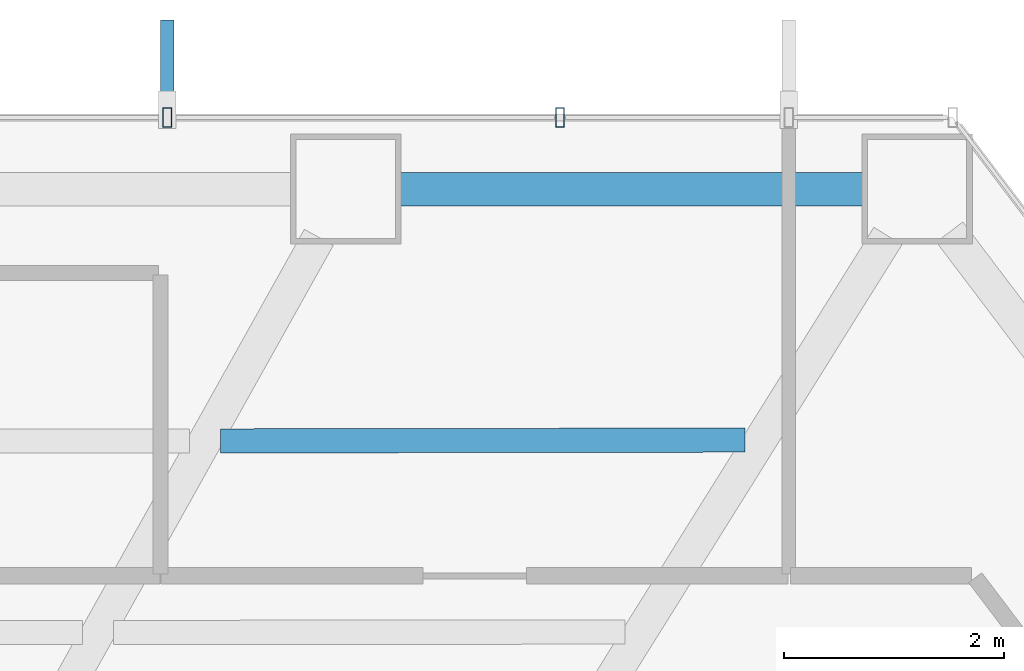
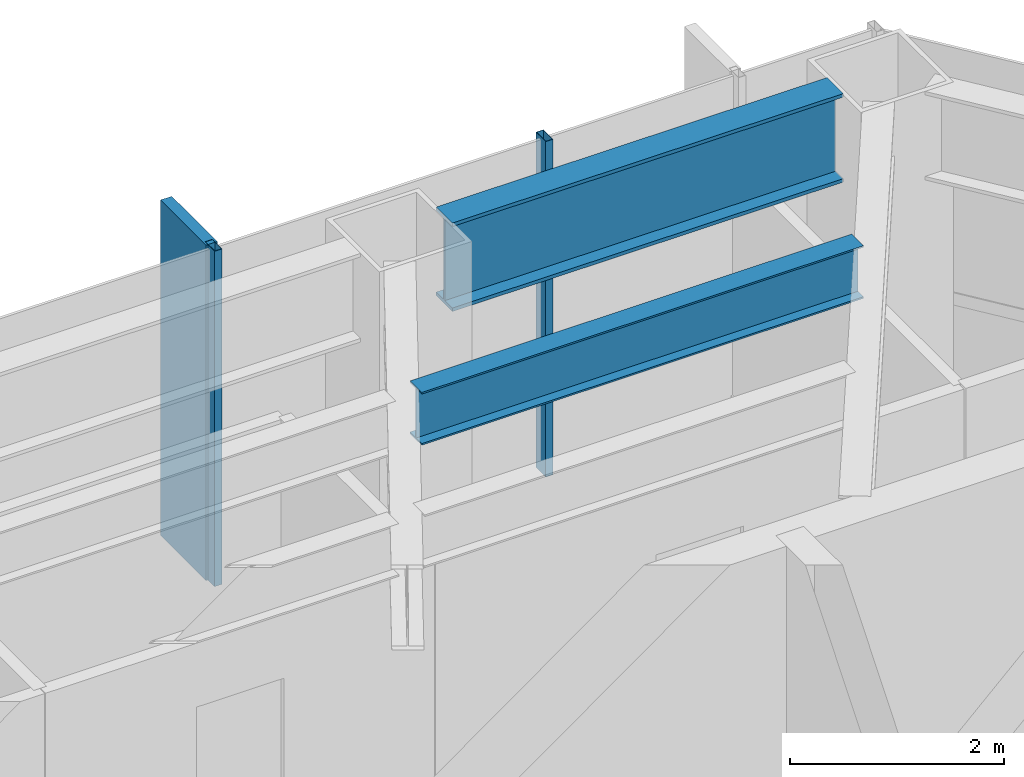
# One storey, part 16 of 26: 3 members, 2 beams, 1 element without a shape of its own.
"""IFC4 building model written with IfcOpenShell, lengths in metres."""

from ifc_helpers import new_model, si_unit, direction, frame, origin, origin_2d, place, context, subcontext, project, spatial, rectangle, hollow_rectangle, i_section, extrude, material, layer, layer_set, material_profile, profile_set, type_object, element, aggregate, save


model = new_model("IFC4")

# Units and contexts
model_context = context("Model", 3, precision=1e-05, world=origin(), true_north=direction((0.0, 1.0)))
body_context = subcontext(model_context, "Body", "Model", "MODEL_VIEW")
ifc_project = project(units=[si_unit("LENGTHUNIT", "METRE"), si_unit("AREAUNIT", "SQUARE_METRE"), si_unit("VOLUMEUNIT", "CUBIC_METRE"), si_unit("PLANEANGLEUNIT", "RADIAN"), si_unit("MASSUNIT", "GRAM", prefix="KILO")], contexts=[model_context])

# Site, building, storey
site_placement = place(None, origin())
site = spatial("IfcSite", under=ifc_project, at=site_placement, CompositionType="ELEMENT")
building_placement = place(site_placement, origin())
building = spatial("IfcBuilding", under=site, at=building_placement, Name="Zarrinselat Tower", CompositionType="ELEMENT")
storey_placement = place(building_placement, frame((0.0, 0.0, 31.6201171875)))
storey = spatial("IfcBuildingStorey", under=building, at=storey_placement, Name="L07", CompositionType="ELEMENT", Elevation=31.6201171875)

# Beams
ifc_material_1 = material(Name="Steel S460M", Category="steel")
ifc_material_profile_1 = material_profile(ifc_material_1, i_section(OverallWidth=0.302001953125, OverallDepth=1.008056640625, WebThickness=0.02099609375, FlangeThickness=0.0400390625, at=origin_2d()), Name="HEM 1000")
ifc_profile_set_1 = profile_set([ifc_material_profile_1], Name="Steel S460M")
beam_type_1 = type_object("IfcBeamType", Name="BM-HEM1000", PredefinedType="BEAM", material=ifc_profile_set_1)
beam_1_placement = place(storey_placement, frame((44.768310546875, 49.510986328125, 3.31591796875), z_axis=(1.0, 0.0, 0.0), x_axis=(0.0, 1.0, 0.0)))
element("IfcBeam", 1, at=beam_1_placement, inside=storey, type_object=beam_type_1, Name="L07 Perimeter Spandrel Girder SP01", PredefinedType="BEAM", context=body_context, shape_type="SweptSolid", body=[
    extrude(i_section(OverallWidth=0.302001953125, OverallDepth=1.008056640625, WebThickness=0.02099609375, FlangeThickness=0.0400390625, at=origin_2d()), origin(), (0.0, 0.0, 1.0), 4.210205078125),
])
ifc_material_2 = material(Name="Steel S355J2", Category="steel")
ifc_material_profile_2 = material_profile(ifc_material_2, i_section(OverallWidth=0.219970703125, OverallDepth=0.60009765625, WebThickness=0.011962890625, FlangeThickness=0.01904296875, at=origin_2d()), Name="IPE 600")
ifc_profile_set_2 = profile_set([ifc_material_profile_2], Name="Steel S355J2")
beam_type_2 = type_object("IfcBeamType", Name="BM-IPE600", PredefinedType="JOIST", material=ifc_profile_set_2)
beam_2_placement = place(storey_placement, frame((43.143310546875, 47.225830078125, 3.519775390625), z_axis=(0.999998653658, 0.001640939281, 0.0), x_axis=(-0.001640939281, 0.999998653658, 0.0)))
element("IfcBeam", 2, at=beam_2_placement, inside=storey, type_object=beam_type_2, Name="L07 Composite Floor Joist 8-1", PredefinedType="JOIST", context=body_context, shape_type="SweptSolid", body=[
    extrude(i_section(OverallWidth=0.219970703125, OverallDepth=0.60009765625, WebThickness=0.011962890625, FlangeThickness=0.01904296875, at=origin_2d()), origin(), (0.0, 0.0, 1.0), 4.760986328125),
])

# Curtain wall, members
ifc_material_3 = material(Name="Extruded Aluminium Alloy EN AW-6063 T6", Category="aluminium")
ifc_layer = layer(ifc_material_3, 0.18505859375)
ifc_layer_set = layer_set([ifc_layer], Name="Extruded Aluminium Alloy EN AW-6063 T6")
curtain_wall_type = type_object("IfcCurtainWallType", Name="CWS-OFF", PredefinedType="NOTDEFINED", material=ifc_layer_set)
curtain_wall_placement = place(storey_placement, origin())
curtain_wall = element("IfcCurtainWall", 3, at=curtain_wall_placement, inside=storey, type_object=curtain_wall_type, Name="L07 Unitised Curtain Wall CW-L07-E01", PredefinedType="NOTDEFINED")
ifc_material_4 = material(Name="Extruded Aluminium Alloy EN AW-6063 T6", Category="aluminium")
ifc_material_profile_3 = material_profile(ifc_material_4, hollow_rectangle(XDim=0.080078125, YDim=0.179931640625, WallThickness=0.0048828125, at=origin_2d()), Name="RHS 180x80x5")
ifc_profile_set_3 = profile_set([ifc_material_profile_3], Name="Extruded Aluminium Alloy EN AW-6063 T6")
member_type_1 = type_object("IfcMemberType", Name="MEM-CW-MUL", PredefinedType="MULLION", material=ifc_profile_set_3)
member_1_placement = place(storey_placement, frame((46.224365234375, 50.1611328125, 0.0), z_axis=(0.0, 0.0, 1.0), x_axis=(-1.0, 0.0, 0.0)))
member_1 = element("IfcMember", 4, at=member_1_placement, type_object=member_type_1, Name="CW-L07-E01 Mullion 2", PredefinedType="MULLION", context=body_context, shape_type="SweptSolid", body=[
    extrude(hollow_rectangle(XDim=0.080078125, YDim=0.179931640625, WallThickness=0.0048828125, at=origin_2d()), origin(), (0.0, 0.0, 1.0), 3.81982421875),
])
member_2_placement = place(storey_placement, frame((42.659423828125, 50.1611328125, 0.0), z_axis=(0.0, 0.0, 1.0), x_axis=(-1.0, 0.0, 0.0)))
member_2 = element("IfcMember", 5, at=member_2_placement, type_object=member_type_1, Name="CW-L07-E01 Mullion 3", PredefinedType="MULLION", context=body_context, shape_type="SweptSolid", body=[
    extrude(hollow_rectangle(XDim=0.080078125, YDim=0.179931640625, WallThickness=0.0048828125, at=origin_2d()), origin(), (0.0, 0.0, 1.0), 3.81982421875),
])
ifc_material_5 = material(Name="Honed Cream Travertine Stone", Category="masonry")
ifc_material_profile_4 = material_profile(ifc_material_5, rectangle(XDim=0.1201171875, YDim=0.85009765625, at=origin_2d()), Name="FIN 850x120")
ifc_profile_set_4 = profile_set([ifc_material_profile_4], Name="Honed Cream Travertine Stone")
member_type_2 = type_object("IfcMemberType", Name="MEM-STONE-FIN", PredefinedType="USERDEFINED", material=ifc_profile_set_4)
member_3_placement = place(storey_placement, frame((42.659423828125, 50.62109375, 0.0), z_axis=(0.0, 0.0, 1.0), x_axis=(1.0, 0.0, 0.0)))
member_3 = element("IfcMember", 6, at=member_3_placement, type_object=member_type_2, Name="L07 Stone Shading Fin CW-L07-E01-03", ObjectType="FIN", PredefinedType="USERDEFINED", context=body_context, shape_type="SweptSolid", body=[
    extrude(rectangle(XDim=0.1201171875, YDim=0.85009765625, at=origin_2d()), origin(), (0.0, 0.0, 1.0), 3.81982421875),
])
aggregate(curtain_wall, [member_1, member_2, member_3])

save(model, "model.ifc")
